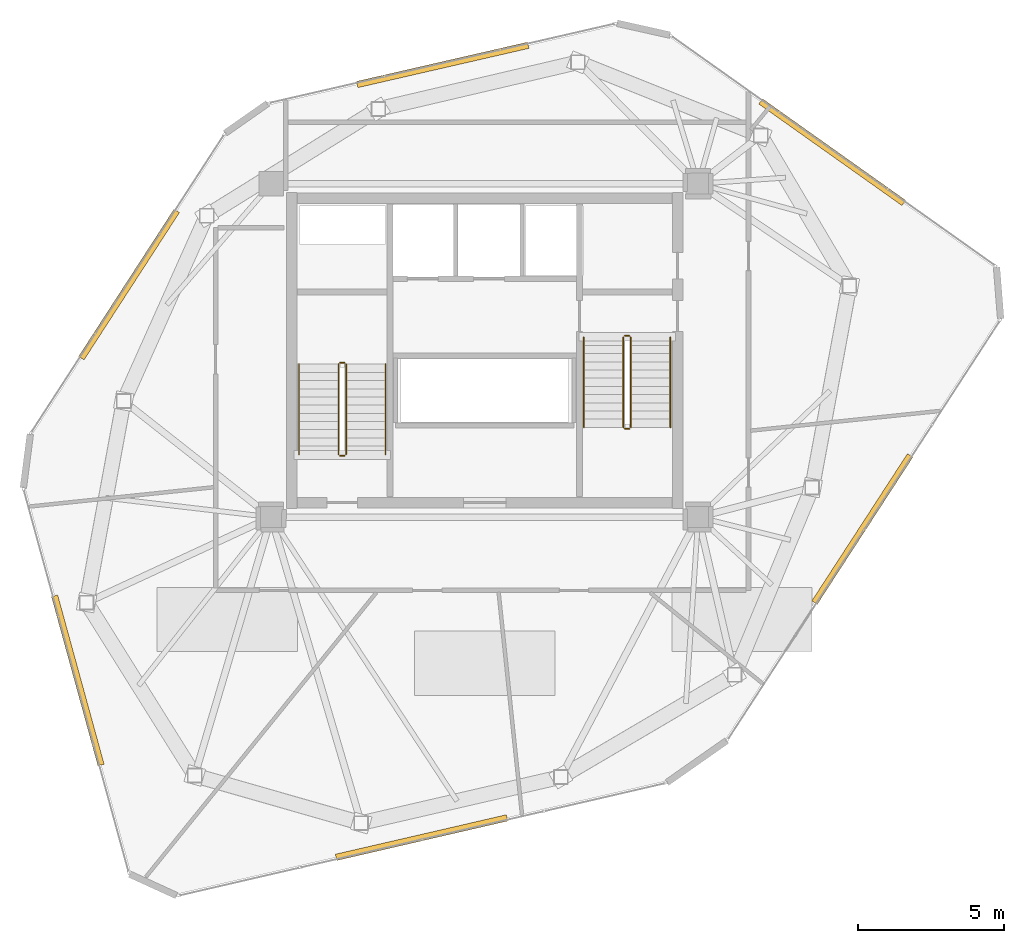
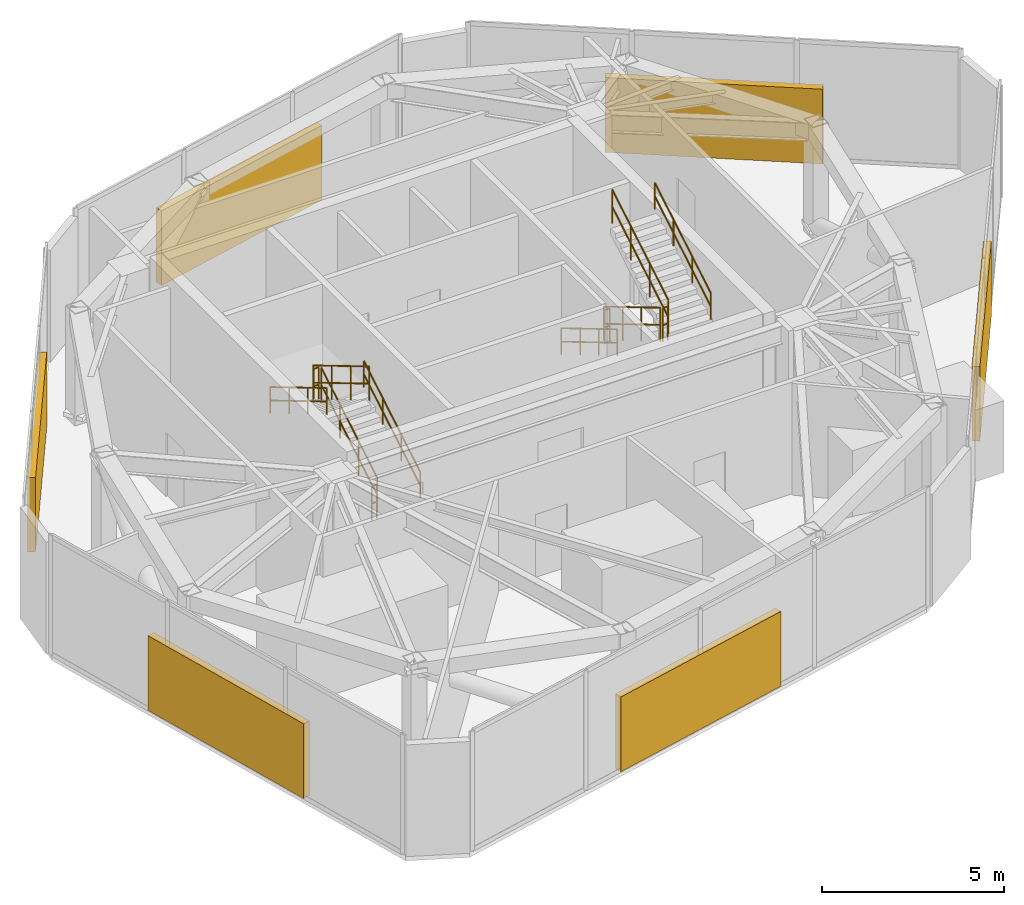
# One storey, part 20 of 21: 12 railings, 6 shading devices.
"""IFC4 building model written with IfcOpenShell, lengths in metres."""

from ifc_helpers import new_model, si_unit, direction, frame, origin, origin_2d, place, context, subcontext, project, spatial, rectangle, circle, extrude, source, transform, mapped, material, type_object, type_shapes, element, save


model = new_model("IFC4")

# Units and contexts
model_context = context("Model", 3, precision=1e-05, world=origin(), true_north=direction((0.0, 1.0)))
body_context = subcontext(model_context, "Body", "Model", "MODEL_VIEW")
ifc_project = project(units=[si_unit("LENGTHUNIT", "METRE"), si_unit("AREAUNIT", "SQUARE_METRE"), si_unit("VOLUMEUNIT", "CUBIC_METRE"), si_unit("PLANEANGLEUNIT", "RADIAN"), si_unit("MASSUNIT", "GRAM", prefix="KILO")], contexts=[model_context])

# Site, building, storey
site_placement = place(None, origin())
site = spatial("IfcSite", under=ifc_project, at=site_placement, CompositionType="ELEMENT")
building_placement = place(site_placement, origin())
building = spatial("IfcBuilding", under=site, at=building_placement, Name="Talar Marvaseh", CompositionType="ELEMENT")
storey_placement = place(building_placement, frame((0.0, 0.0, 304.0)))
storey = spatial("IfcBuildingStorey", under=building, at=storey_placement, Name="L81", CompositionType="ELEMENT", Elevation=304.0)

# Railings
ifc_material_1 = material(Name="Stainless Steel Grade 316", Category="steel")
railing_type_1 = type_object("IfcRailingType", Name="Brushed Stainless Wall Pitch Handrail 900", PredefinedType="HANDRAIL", material=ifc_material_1)
railing_1_placement = place(storey_placement, frame((22.610107421875, 27.64990234375, 0.166748046875)))
element("IfcRailing", 1, at=railing_1_placement, inside=storey, type_object=railing_type_1, Name="L81 ST-1 stair handrail 1", PredefinedType="HANDRAIL", context=body_context, shape_type="SweptSolid", body=[
    extrude(circle(Radius=0.02392578125, at=origin_2d()), frame((0.0, 0.0, 0.8759765625), z_axis=(0.0, 0.859308565015, 0.511457515432), x_axis=(-1.0, 0.0, 0.0)), (0.0, 0.0, 1.0), 3.58447265625),
    extrude(circle(Radius=0.02392578125, at=origin_2d()), frame((0.0, 0.0, 0.42578125), z_axis=(0.0, 0.859308565015, 0.511457515432), x_axis=(-1.0, 0.0, 0.0)), (0.0, 0.0, 1.0), 3.58447265625),
    extrude(circle(Radius=0.02099609375, at=origin_2d()), origin(), (0.0, 0.0, 1.0), 0.851806640625),
    extrude(circle(Radius=0.02099609375, at=origin_2d()), frame((0.0, 1.026611328125, 0.611083984375)), (0.0, 0.0, 1.0), 0.851806640625),
    extrude(circle(Radius=0.02099609375, at=origin_2d()), frame((0.0, 2.053466796875, 1.22216796875)), (0.0, 0.0, 1.0), 0.851806640625),
    extrude(circle(Radius=0.02099609375, at=origin_2d()), frame((0.0, 3.080078125, 1.833251953125)), (0.0, 0.0, 1.0), 0.851806640625),
])
railing_2_placement = place(storey_placement, frame((19.64990234375, 30.72998046875, 2.166748046875)))
element("IfcRailing", 2, at=railing_2_placement, inside=storey, type_object=railing_type_1, Name="L81 ST-1 stair handrail 2", PredefinedType="HANDRAIL", context=body_context, shape_type="SweptSolid", body=[
    extrude(circle(Radius=0.02392578125, at=origin_2d()), frame((0.0, 0.0, 0.8759765625), z_axis=(0.0, -0.859308565015, 0.511457515432), x_axis=(1.0, 0.0, 0.0)), (0.0, 0.0, 1.0), 3.58447265625),
    extrude(circle(Radius=0.02392578125, at=origin_2d()), frame((0.0, 0.0, 0.42578125), z_axis=(0.0, -0.859308565015, 0.511457515432), x_axis=(1.0, 0.0, 0.0)), (0.0, 0.0, 1.0), 3.58447265625),
    extrude(circle(Radius=0.02099609375, at=origin_2d()), origin(), (0.0, 0.0, 1.0), 0.851806640625),
    extrude(circle(Radius=0.02099609375, at=origin_2d()), frame((0.0, -1.026611328125, 0.611083984375)), (0.0, 0.0, 1.0), 0.851806640625),
    extrude(circle(Radius=0.02099609375, at=origin_2d()), frame((0.0, -2.053466796875, 1.22216796875)), (0.0, 0.0, 1.0), 0.851806640625),
    extrude(circle(Radius=0.02099609375, at=origin_2d()), frame((0.0, -3.080078125, 1.833251953125)), (0.0, 0.0, 1.0), 0.851806640625),
])
railing_3_placement = place(storey_placement, frame((29.389892578125, 31.64990234375, 0.166748046875)))
element("IfcRailing", 3, at=railing_3_placement, inside=storey, type_object=railing_type_1, Name="L81 ST-2 stair handrail 1", PredefinedType="HANDRAIL", context=body_context, shape_type="SweptSolid", body=[
    extrude(circle(Radius=0.02392578125, at=origin_2d()), frame((0.0, 0.0, 0.8759765625), z_axis=(0.0, -0.859290745958, 0.51148745235), x_axis=(1.0, 0.0, 0.0)), (0.0, 0.0, 1.0), 3.584228515625),
    extrude(circle(Radius=0.02392578125, at=origin_2d()), frame((0.0, 0.0, 0.42578125), z_axis=(0.0, -0.859290745958, 0.51148745235), x_axis=(1.0, 0.0, 0.0)), (0.0, 0.0, 1.0), 3.584228515625),
    extrude(circle(Radius=0.02099609375, at=origin_2d()), origin(), (0.0, 0.0, 1.0), 0.851806640625),
    extrude(circle(Radius=0.02099609375, at=origin_2d()), frame((0.0, -1.026611328125, 0.611083984375)), (0.0, 0.0, 1.0), 0.851806640625),
    extrude(circle(Radius=0.02099609375, at=origin_2d()), frame((0.0, -2.05322265625, 1.22216796875)), (0.0, 0.0, 1.0), 0.851806640625),
    extrude(circle(Radius=0.02099609375, at=origin_2d()), frame((0.0, -3.079833984375, 1.833251953125)), (0.0, 0.0, 1.0), 0.851806640625),
])
railing_4_placement = place(storey_placement, frame((32.35009765625, 28.570068359375, 2.166748046875)))
element("IfcRailing", 4, at=railing_4_placement, inside=storey, type_object=railing_type_1, Name="L81 ST-2 stair handrail 2", PredefinedType="HANDRAIL", context=body_context, shape_type="SweptSolid", body=[
    extrude(circle(Radius=0.02392578125, at=origin_2d()), frame((0.0, 0.0, 0.8759765625), z_axis=(0.0, 0.859290745958, 0.51148745235), x_axis=(-1.0, 0.0, 0.0)), (0.0, 0.0, 1.0), 3.584228515625),
    extrude(circle(Radius=0.02392578125, at=origin_2d()), frame((0.0, 0.0, 0.42578125), z_axis=(0.0, 0.859290745958, 0.51148745235), x_axis=(-1.0, 0.0, 0.0)), (0.0, 0.0, 1.0), 3.584228515625),
    extrude(circle(Radius=0.02099609375, at=origin_2d()), origin(), (0.0, 0.0, 1.0), 0.851806640625),
    extrude(circle(Radius=0.02099609375, at=origin_2d()), frame((0.0, 1.026611328125, 0.611083984375)), (0.0, 0.0, 1.0), 0.851806640625),
    extrude(circle(Radius=0.02099609375, at=origin_2d()), frame((0.0, 2.05322265625, 1.22216796875)), (0.0, 0.0, 1.0), 0.851806640625),
    extrude(circle(Radius=0.02099609375, at=origin_2d()), frame((0.0, 3.079833984375, 1.833251953125)), (0.0, 0.0, 1.0), 0.851806640625),
])
railing_type_2 = type_object("IfcRailingType", Name="Painted Steel Core Stair Well Guardrail 1150", PredefinedType="GUARDRAIL", material=ifc_material_1)
railing_5_placement = place(storey_placement, frame((21.260009765625, 27.64990234375, 0.166748046875)))
element("IfcRailing", 5, at=railing_5_placement, inside=storey, type_object=railing_type_2, Name="L81 ST-1 stair guard 1", PredefinedType="GUARDRAIL", context=body_context, shape_type="SweptSolid", body=[
    extrude(circle(Radius=0.02392578125, at=origin_2d()), frame((0.0, 0.0, 1.1259765625), z_axis=(0.0, 0.859308565015, 0.511457515432), x_axis=(-1.0, 0.0, 0.0)), (0.0, 0.0, 1.0), 3.58447265625),
    extrude(circle(Radius=0.02392578125, at=origin_2d()), frame((0.0, 0.0, 0.55078125), z_axis=(0.0, 0.859308565015, 0.511457515432), x_axis=(-1.0, 0.0, 0.0)), (0.0, 0.0, 1.0), 3.58447265625),
    extrude(circle(Radius=0.02099609375, at=origin_2d()), origin(), (0.0, 0.0, 1.0), 1.101806640625),
    extrude(circle(Radius=0.02099609375, at=origin_2d()), frame((0.0, 1.026611328125, 0.611083984375)), (0.0, 0.0, 1.0), 1.101806640625),
    extrude(circle(Radius=0.02099609375, at=origin_2d()), frame((0.0, 2.053466796875, 1.22216796875)), (0.0, 0.0, 1.0), 1.101806640625),
    extrude(circle(Radius=0.02099609375, at=origin_2d()), frame((0.0, 3.080078125, 1.833251953125)), (0.0, 0.0, 1.0), 1.101806640625),
])
railing_6_placement = place(storey_placement, frame((21.2099609375, 30.780029296875, 2.0)))
element("IfcRailing", 6, at=railing_6_placement, inside=storey, type_object=railing_type_2, Name="L81 ST-1 stair guard 2", PredefinedType="GUARDRAIL", context=body_context, shape_type="SweptSolid", body=[
    extrude(circle(Radius=0.02392578125, at=origin_2d()), frame((0.0, 0.0, 1.1259765625), z_axis=(-1.0, 0.0, 0.0), x_axis=(0.0, -1.0, 0.0)), (0.0, 0.0, 1.0), 0.159912109375),
    extrude(circle(Radius=0.02392578125, at=origin_2d()), frame((0.0, 0.0, 0.55078125), z_axis=(-1.0, 0.0, 0.0), x_axis=(0.0, -1.0, 0.0)), (0.0, 0.0, 1.0), 0.159912109375),
    extrude(circle(Radius=0.02099609375, at=origin_2d()), origin(), (0.0, 0.0, 1.0), 1.101806640625),
    extrude(circle(Radius=0.02099609375, at=origin_2d()), frame((-0.159912109375, 0.0, 0.0)), (0.0, 0.0, 1.0), 1.101806640625),
])
railing_7_placement = place(storey_placement, frame((21.0, 30.72998046875, 2.166748046875)))
element("IfcRailing", 7, at=railing_7_placement, inside=storey, type_object=railing_type_2, Name="L81 ST-1 stair guard 3", PredefinedType="GUARDRAIL", context=body_context, shape_type="SweptSolid", body=[
    extrude(circle(Radius=0.02392578125, at=origin_2d()), frame((0.0, 0.0, 1.1259765625), z_axis=(0.0, -0.859308565015, 0.511457515432), x_axis=(1.0, 0.0, 0.0)), (0.0, 0.0, 1.0), 3.58447265625),
    extrude(circle(Radius=0.02392578125, at=origin_2d()), frame((0.0, 0.0, 0.55078125), z_axis=(0.0, -0.859308565015, 0.511457515432), x_axis=(1.0, 0.0, 0.0)), (0.0, 0.0, 1.0), 3.58447265625),
    extrude(circle(Radius=0.02099609375, at=origin_2d()), origin(), (0.0, 0.0, 1.0), 1.101806640625),
    extrude(circle(Radius=0.02099609375, at=origin_2d()), frame((0.0, -1.026611328125, 0.611083984375)), (0.0, 0.0, 1.0), 1.101806640625),
    extrude(circle(Radius=0.02099609375, at=origin_2d()), frame((0.0, -2.053466796875, 1.22216796875)), (0.0, 0.0, 1.0), 1.101806640625),
    extrude(circle(Radius=0.02099609375, at=origin_2d()), frame((0.0, -3.080078125, 1.833251953125)), (0.0, 0.0, 1.0), 1.101806640625),
])
railing_8_placement = place(storey_placement, frame((21.2099609375, 27.60009765625, 0.0)))
element("IfcRailing", 8, at=railing_8_placement, inside=storey, type_object=railing_type_2, Name="L81 ST-1 stair guard 4", PredefinedType="GUARDRAIL", context=body_context, shape_type="SweptSolid", body=[
    extrude(circle(Radius=0.02392578125, at=origin_2d()), frame((0.0, 0.0, 1.1259765625), z_axis=(-1.0, 0.0, 0.0), x_axis=(0.0, -1.0, 0.0)), (0.0, 0.0, 1.0), 0.159912109375),
    extrude(circle(Radius=0.02392578125, at=origin_2d()), frame((0.0, 0.0, 0.55078125), z_axis=(-1.0, 0.0, 0.0), x_axis=(0.0, -1.0, 0.0)), (0.0, 0.0, 1.0), 0.159912109375),
    extrude(circle(Radius=0.02099609375, at=origin_2d()), origin(), (0.0, 0.0, 1.0), 1.101806640625),
    extrude(circle(Radius=0.02099609375, at=origin_2d()), frame((-0.159912109375, 0.0, 0.0)), (0.0, 0.0, 1.0), 1.101806640625),
])
railing_9_placement = place(storey_placement, frame((30.739990234375, 31.64990234375, 0.166748046875)))
element("IfcRailing", 9, at=railing_9_placement, inside=storey, type_object=railing_type_2, Name="L81 ST-2 stair guard 1", PredefinedType="GUARDRAIL", context=body_context, shape_type="SweptSolid", body=[
    extrude(circle(Radius=0.02392578125, at=origin_2d()), frame((0.0, 0.0, 1.1259765625), z_axis=(0.0, -0.859290745958, 0.51148745235), x_axis=(1.0, 0.0, 0.0)), (0.0, 0.0, 1.0), 3.584228515625),
    extrude(circle(Radius=0.02392578125, at=origin_2d()), frame((0.0, 0.0, 0.55078125), z_axis=(0.0, -0.859290745958, 0.51148745235), x_axis=(1.0, 0.0, 0.0)), (0.0, 0.0, 1.0), 3.584228515625),
    extrude(circle(Radius=0.02099609375, at=origin_2d()), origin(), (0.0, 0.0, 1.0), 1.101806640625),
    extrude(circle(Radius=0.02099609375, at=origin_2d()), frame((0.0, -1.026611328125, 0.611083984375)), (0.0, 0.0, 1.0), 1.101806640625),
    extrude(circle(Radius=0.02099609375, at=origin_2d()), frame((0.0, -2.05322265625, 1.22216796875)), (0.0, 0.0, 1.0), 1.101806640625),
    extrude(circle(Radius=0.02099609375, at=origin_2d()), frame((0.0, -3.079833984375, 1.833251953125)), (0.0, 0.0, 1.0), 1.101806640625),
])
railing_10_placement = place(storey_placement, frame((30.7900390625, 28.52001953125, 2.0)))
element("IfcRailing", 10, at=railing_10_placement, inside=storey, type_object=railing_type_2, Name="L81 ST-2 stair guard 2", PredefinedType="GUARDRAIL", context=body_context, shape_type="SweptSolid", body=[
    extrude(circle(Radius=0.02392578125, at=origin_2d()), frame((0.0, 0.0, 1.1259765625), z_axis=(1.0, 0.0, 0.0), x_axis=(0.0, 1.0, 0.0)), (0.0, 0.0, 1.0), 0.159912109375),
    extrude(circle(Radius=0.02392578125, at=origin_2d()), frame((0.0, 0.0, 0.55078125), z_axis=(1.0, 0.0, 0.0), x_axis=(0.0, 1.0, 0.0)), (0.0, 0.0, 1.0), 0.159912109375),
    extrude(circle(Radius=0.02099609375, at=origin_2d()), origin(), (0.0, 0.0, 1.0), 1.101806640625),
    extrude(circle(Radius=0.02099609375, at=origin_2d()), frame((0.159912109375, 0.0, 0.0)), (0.0, 0.0, 1.0), 1.101806640625),
])
railing_11_placement = place(storey_placement, frame((31.0, 28.570068359375, 2.166748046875)))
element("IfcRailing", 11, at=railing_11_placement, inside=storey, type_object=railing_type_2, Name="L81 ST-2 stair guard 3", PredefinedType="GUARDRAIL", context=body_context, shape_type="SweptSolid", body=[
    extrude(circle(Radius=0.02392578125, at=origin_2d()), frame((0.0, 0.0, 1.1259765625), z_axis=(0.0, 0.859290745958, 0.51148745235), x_axis=(-1.0, 0.0, 0.0)), (0.0, 0.0, 1.0), 3.584228515625),
    extrude(circle(Radius=0.02392578125, at=origin_2d()), frame((0.0, 0.0, 0.55078125), z_axis=(0.0, 0.859290745958, 0.51148745235), x_axis=(-1.0, 0.0, 0.0)), (0.0, 0.0, 1.0), 3.584228515625),
    extrude(circle(Radius=0.02099609375, at=origin_2d()), origin(), (0.0, 0.0, 1.0), 1.101806640625),
    extrude(circle(Radius=0.02099609375, at=origin_2d()), frame((0.0, 1.026611328125, 0.611083984375)), (0.0, 0.0, 1.0), 1.101806640625),
    extrude(circle(Radius=0.02099609375, at=origin_2d()), frame((0.0, 2.05322265625, 1.22216796875)), (0.0, 0.0, 1.0), 1.101806640625),
    extrude(circle(Radius=0.02099609375, at=origin_2d()), frame((0.0, 3.079833984375, 1.833251953125)), (0.0, 0.0, 1.0), 1.101806640625),
])
railing_12_placement = place(storey_placement, frame((30.7900390625, 31.699951171875, 0.0)))
element("IfcRailing", 12, at=railing_12_placement, inside=storey, type_object=railing_type_2, Name="L81 ST-2 stair guard 4", PredefinedType="GUARDRAIL", context=body_context, shape_type="SweptSolid", body=[
    extrude(circle(Radius=0.02392578125, at=origin_2d()), frame((0.0, 0.0, 1.1259765625), z_axis=(1.0, 0.0, 0.0), x_axis=(0.0, 1.0, 0.0)), (0.0, 0.0, 1.0), 0.159912109375),
    extrude(circle(Radius=0.02392578125, at=origin_2d()), frame((0.0, 0.0, 0.55078125), z_axis=(1.0, 0.0, 0.0), x_axis=(0.0, 1.0, 0.0)), (0.0, 0.0, 1.0), 0.159912109375),
    extrude(circle(Radius=0.02099609375, at=origin_2d()), origin(), (0.0, 0.0, 1.0), 1.101806640625),
    extrude(circle(Radius=0.02099609375, at=origin_2d()), frame((0.159912109375, 0.0, 0.0)), (0.0, 0.0, 1.0), 1.101806640625),
])

# Shading devices
ifc_material_2 = material(Name="Anodised Champagne Bronze Aluminium", Category="aluminium")
shading_device_type = type_object("IfcShadingDeviceType", Name="Acoustic Weatherproof Plant Louvre Bank", PredefinedType="USERDEFINED", material=ifc_material_2)
shared_shape = source(origin(), body_context, "Body", "SweptSolid", [
    extrude(rectangle(XDim=6.0, YDim=0.219970703125, at=origin_2d()), origin(), (0.0, 0.0, 1.0), 2.5),
])
type_shapes(shading_device_type, [shared_shape])
for number, where, z_axis, x_axis, name in (
    (13, (12.086669921875, 19.917724609375, 0.0), (0.0, 0.0, 1.0), (-0.264714684522, 0.964326778534, 0.0), "L81 Acoustic Plant Louvre Screen"),
    (14, (13.838623046875, 33.455322265625, 0.0), (0.0, 0.0, 1.0), (0.543613999406, 0.839335343977, 0.0), "L81 Acoustic Plant Louvre Screen"),
    (15, (24.563232421875, 40.96484375, 0.0), (0.0, 0.0, 1.0), (0.974644167091, 0.223760469153, 0.0), "L81 Acoustic Plant Louvre Screen"),
    (16, (37.8837890625, 37.98095703125, 0.0), (0.0, 0.0, 1.0), (0.815633003474, -0.578569618666, 0.0), "L81 Acoustic Plant Louvre Screen"),
    (17, (38.91455078125, 25.095703125, 0.0), (0.0, 0.0, 1.0), (-0.544785402346, -0.838575497728, 0.0), "L81 Acoustic Plant Louvre Screen"),
    (18, (23.84228515625, 14.5419921875, 0.0), (0.0, 0.0, 1.0), (-0.974330788579, -0.225121110574, 0.0), "L81 Acoustic Plant Louvre Screen"),
):
    element("IfcShadingDevice", number, at=place(storey_placement, frame(where, z_axis=z_axis, x_axis=x_axis)), inside=storey, type_object=shading_device_type, Name=name, ObjectType="LOUVRE", PredefinedType="USERDEFINED", context=body_context, shape_type="MappedRepresentation", body=[
        mapped(shared_shape, transform((0.0, 0.0, 0.0), x_axis=(1.0, 0.0, 0.0), y_axis=(0.0, 1.0, 0.0), z_axis=(0.0, 0.0, 1.0), scale=1.0)),
    ])

save(model, "model.ifc")
